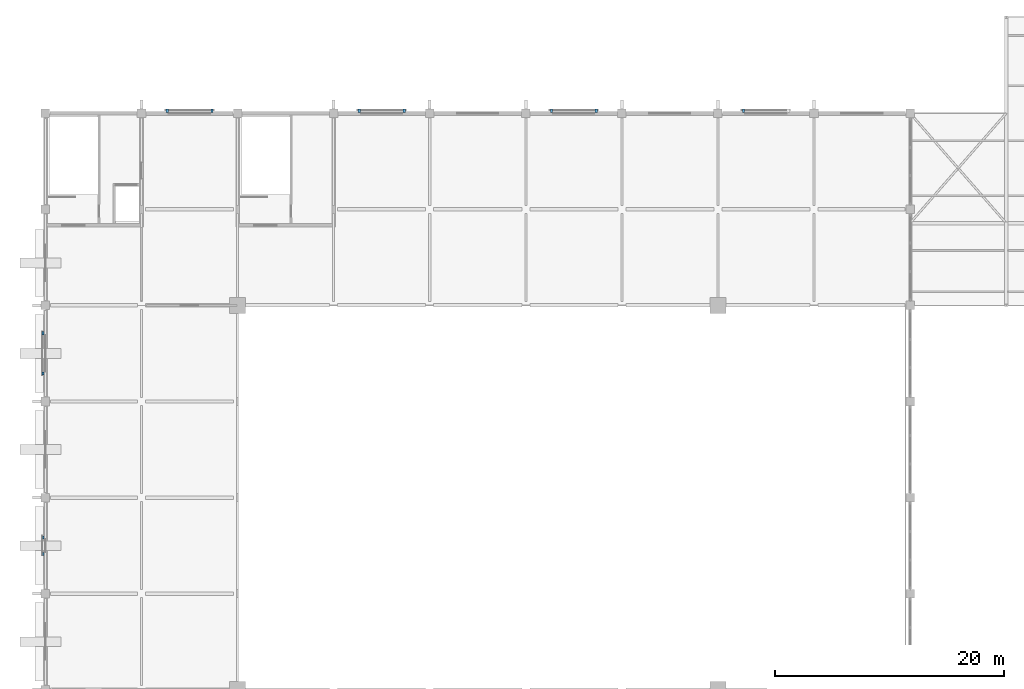
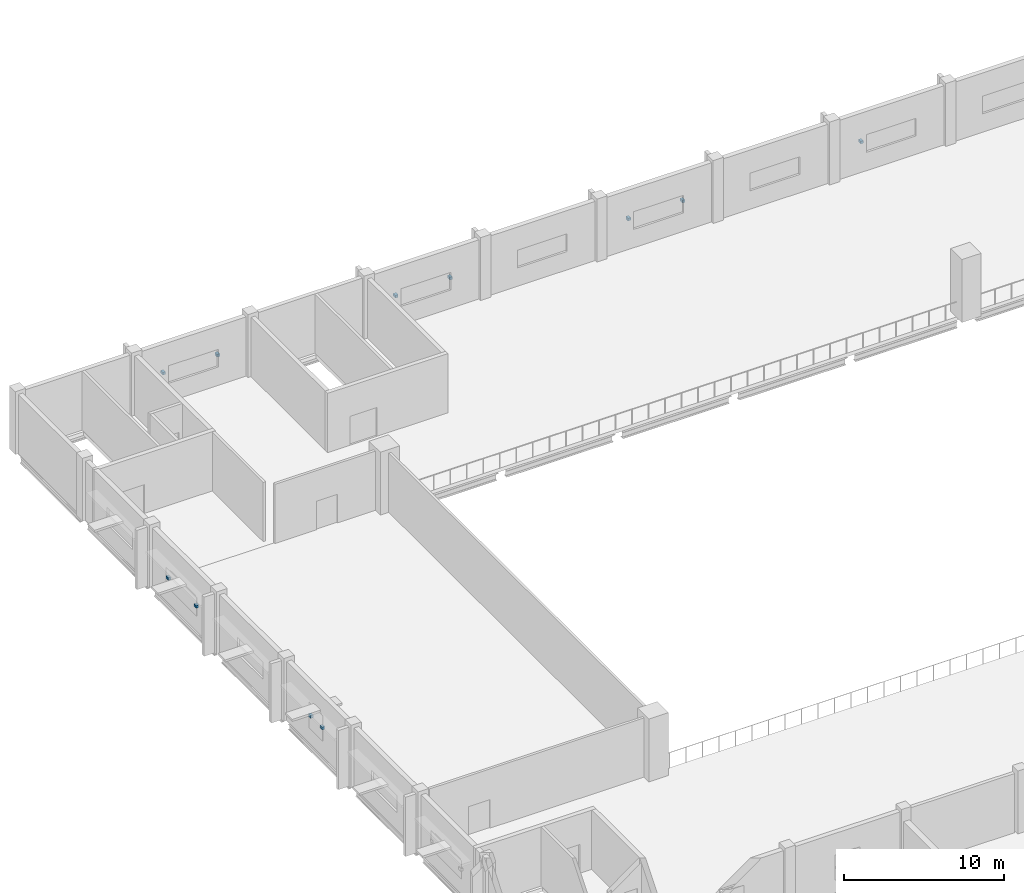
# One storey, part 96 of 110: 11 discrete accessories.
"""IFC4 building model written with IfcOpenShell, lengths in metres."""

import ifcopenshell
import ifcopenshell.guid

model = None  # the IFC model being written
_history = None  # IfcOwnerHistory: only IFC2X3 demands one
_inside = {}  # id of a spatial element -> (the spatial element, [elements in it])
_under = {}  # id of a project, library or spatial element -> (it, [spatial elements below it])
_declared = {}  # id of a project -> (the project, [libraries it declares])
_typed = {}  # id of a type object -> (the type object, [elements of that type])
_made_of = {}  # id of a material, layer set ... -> (it, [elements and type objects made of it])


def new_model(schema):
    """Start an empty IFC model of exactly this schema.

    Asked for "IFC4X3", IfcOpenShell would pick the latest addendum, in which some entities
    have other attributes; the version numbers below select the first issue.
    IFC2X3 requires an IfcOwnerHistory on every rooted entity: one is made here for all.
    """
    global model, _history
    if schema == "IFC4X3":
        model = ifcopenshell.file(schema_version=(4, 3, 0, 0))
    else:
        model = ifcopenshell.file(schema=schema)
    _inside.clear()
    _under.clear()
    _declared.clear()
    _typed.clear()
    _made_of.clear()
    _history = None
    if model.schema == "IFC2X3":
        org = make("IfcOrganization", Name="unknown")
        user = make(
            "IfcPersonAndOrganization",
            ThePerson=make("IfcPerson", FamilyName="unknown"),
            TheOrganization=org,
        )
        app = make(
            "IfcApplication",
            ApplicationDeveloper=org,
            Version="unknown",
            ApplicationFullName="unknown",
            ApplicationIdentifier="unknown",
        )
        _history = make(
            "IfcOwnerHistory",
            OwningUser=user,
            OwningApplication=app,
            ChangeAction="ADDED",
            CreationDate=0,
        )
    return model


def make(cls, **values):
    """One entity of the class cls with the attributes given. An attribute that is None is left unset."""
    return model.create_entity(
        cls, **{name: value for name, value in values.items() if value is not None}
    )


def rooted(cls, **values):
    """An entity with a GlobalId (a new one), such as an element, a storey or a relation."""
    return make(cls, GlobalId=ifcopenshell.guid.new(), OwnerHistory=_history, **values)


def si_unit(unit_type, name, prefix=None):
    """IfcSIUnit, for example si_unit("LENGTHUNIT", "METRE", prefix="MILLI")."""
    return make("IfcSIUnit", UnitType=unit_type, Prefix=prefix, Name=name)


def assignment(units):
    """IfcUnitAssignment: the units of a project."""
    return None if units is None else make("IfcUnitAssignment", Units=units)


def point(xyz):
    """IfcCartesianPoint."""
    return None if xyz is None else make("IfcCartesianPoint", Coordinates=xyz)


def direction(xyz):
    """IfcDirection."""
    return None if xyz is None else make("IfcDirection", DirectionRatios=xyz)


def frame(location, z_axis=None, x_axis=None):
    """IfcAxis2Placement3D, a coordinate frame: its origin and axes. An axis left out is left unset."""
    return make(
        "IfcAxis2Placement3D",
        Location=point(location),
        Axis=direction(z_axis),
        RefDirection=direction(x_axis),
    )


def frame_2d(location, x_axis=None):
    """IfcAxis2Placement2D, a coordinate frame in the plane: its origin and x axis."""
    return make(
        "IfcAxis2Placement2D", Location=point(location), RefDirection=direction(x_axis)
    )


def origin():
    """The frame at (0, 0, 0) with its axes left unset."""
    return frame((0.0, 0.0, 0.0))


def origin_2d():
    """The frame at (0, 0) in the plane with its x axis left unset."""
    return frame_2d((0.0, 0.0))


def place(relative_to, where):
    """IfcLocalPlacement: puts the frame where relative to a parent placement (None: the world)."""
    return make(
        "IfcLocalPlacement", PlacementRelTo=relative_to, RelativePlacement=where
    )


def context(
    kind, dimensions, precision=None, world=None, true_north=None, identifier=None
):
    """IfcGeometricRepresentationContext, for example the 3D "Model" context."""
    return make(
        "IfcGeometricRepresentationContext",
        ContextIdentifier=identifier,
        ContextType=kind,
        CoordinateSpaceDimension=dimensions,
        Precision=precision,
        WorldCoordinateSystem=world,
        TrueNorth=true_north,
    )


def subcontext(parent, identifier, kind, view, scale=None):
    """IfcGeometricRepresentationSubContext, for example "Body" below "Model"."""
    return make(
        "IfcGeometricRepresentationSubContext",
        ContextIdentifier=identifier,
        ContextType=kind,
        ParentContext=parent,
        TargetScale=scale,
        TargetView=view,
    )


def project(units=None, contexts=None):
    """IfcProject with its units and contexts."""
    return rooted(
        "IfcProject",
        Name="project",
        RepresentationContexts=contexts,
        UnitsInContext=assignment(units),
    )


def spatial(cls, under=None, at=None, **own):
    """A site, building, storey or space (cls), placed at a placement, below another one or the project."""
    s = rooted(cls, ObjectPlacement=at, **own)
    if under is not None:
        _under.setdefault(under.id(), (under, []))[1].append(s)
    return s


def profile(cls, at=None, kind="AREA", **sizes):
    """A parametric profile (cls). Its sizes go by their IFC names, for example OverallWidth=200.0."""
    return make(cls, ProfileType=kind, Position=at, **sizes)


def rectangle(**sizes):
    """IfcRectangleProfileDef."""
    return profile("IfcRectangleProfileDef", **sizes)


def extrude(swept, where, along, depth):
    """IfcExtrudedAreaSolid: the profile swept, set in the frame where, extruded along a direction by depth."""
    return make(
        "IfcExtrudedAreaSolid",
        SweptArea=swept,
        Position=where,
        ExtrudedDirection=direction(along),
        Depth=depth,
    )


def shape(context_of_items, identifier, shape_type, items):
    """IfcShapeRepresentation: the items that make up one representation, for example the "Body"."""
    return make(
        "IfcShapeRepresentation",
        ContextOfItems=context_of_items,
        RepresentationIdentifier=identifier,
        RepresentationType=shape_type,
        Items=items,
    )


def material(Name=None, Category=None):
    """IfcMaterial."""
    return make("IfcMaterial", Name=Name, Category=Category)


def made_of(thing, what):
    """Note that an element or type object is made of a material, layer set ...; save() writes the relation."""
    if what is not None:
        _made_of.setdefault(what.id(), (what, []))[1].append(thing)
    return thing


def type_object(cls, material=None, **own):
    """A type object (cls), such as IfcWallType, which elements share."""
    return made_of(rooted(cls, **own), material)


def element(
    cls,
    number,
    at=None,
    inside=None,
    cuts=None,
    type_object=None,
    material=None,
    context=None,
    identifier="Body",
    shape_type=None,
    held_by="IfcProductDefinitionShape",
    body=None,
    shapes=None,
    **own,
):
    """One element of the class cls, such as IfcWall. Its Tag is "e" and its number.

    at: its placement. inside: the storey or other place that contains it. cuts: it is an
    opening in that element (IfcRelVoidsElement). A single representation is given by context,
    identifier, shape_type and body (its items); several are given by shapes. held_by: the class
    of the entity that holds the representations. save() writes the other relations.
    """
    e = rooted(cls, Tag="e%d" % number, ObjectPlacement=at, **own)
    if body is not None:
        shapes = [shape(context, identifier, shape_type, body)]
    if shapes is not None:
        e.Representation = make(held_by, Representations=shapes)
    if inside is not None:
        _inside.setdefault(inside.id(), (inside, []))[1].append(e)
    if cuts is not None:
        rooted(
            "IfcRelVoidsElement", RelatingBuildingElement=cuts, RelatedOpeningElement=e
        )
    if type_object is not None:
        _typed.setdefault(type_object.id(), (type_object, []))[1].append(e)
    return made_of(e, material)


def aggregate(whole, parts):
    """IfcRelAggregates: a whole, such as a stair, and the parts it consists of."""
    return rooted("IfcRelAggregates", RelatingObject=whole, RelatedObjects=parts)


def save(model, path):
    """Write the relations noted so far, then the file.

    IfcRelAggregates (storeys below a building ...), IfcRelContainedInSpatialStructure (elements
    in a storey), IfcRelDefinesByType, IfcRelAssociatesMaterial and IfcRelDeclares: one each for
    every whole, place, type object, material and project.
    """
    for whole, parts in _under.values():
        aggregate(whole, parts)
    for where, things in _inside.values():
        rooted(
            "IfcRelContainedInSpatialStructure",
            RelatedElements=things,
            RelatingStructure=where,
        )
    for kind, things in _typed.values():
        rooted("IfcRelDefinesByType", RelatedObjects=things, RelatingType=kind)
    for what, things in _made_of.values():
        rooted("IfcRelAssociatesMaterial", RelatedObjects=things, RelatingMaterial=what)
    for by, libraries in _declared.values():
        rooted("IfcRelDeclares", RelatingContext=by, RelatedDefinitions=libraries)
    model.write(path)


model = new_model("IFC4")

# Units and contexts
model_context = context("Model", 3, precision=1e-05, world=origin(), true_north=direction((0.0, 1.0)))
body_context = subcontext(model_context, "Body", "Model", "MODEL_VIEW")
ifc_project = project(units=[si_unit("LENGTHUNIT", "METRE"), si_unit("AREAUNIT", "SQUARE_METRE"), si_unit("VOLUMEUNIT", "CUBIC_METRE"), si_unit("PLANEANGLEUNIT", "RADIAN"), si_unit("MASSUNIT", "GRAM", prefix="KILO")], contexts=[model_context])

# Site, building, storey
site_placement = place(None, origin())
site = spatial("IfcSite", under=ifc_project, at=site_placement, CompositionType="ELEMENT")
building_placement = place(site_placement, origin())
building = spatial("IfcBuilding", under=site, at=building_placement, Name="Qawsi Khor Wholesale Market", CompositionType="ELEMENT")
storey_placement = place(building_placement, frame((0.0, 0.0, 11.39990234375)))
storey = spatial("IfcBuildingStorey", under=building, at=storey_placement, Name="L02", CompositionType="ELEMENT", Elevation=11.39990234375)

# Discrete accessories
ifc_material = material(Name="Steel S355", Category="steel")
discrete_accessory_type = type_object("IfcDiscreteAccessoryType", Name="Screen Fixing Bracket Steel S355", PredefinedType="BRACKET", material=ifc_material)
for number, where, z_axis, x_axis, name in (
    (1, (-0.215087890625, 70.679931640625, 2.17529296875), (0.0, 0.0, 1.0), (1.0, 0.0, 0.0), "Screen bracket 081-1"),
    (2, (-0.215087890625, 72.1201171875, 2.17529296875), (0.0, 0.0, 1.0), (1.0, 0.0, 0.0), "Screen bracket 081-2"),
    (3, (-0.215087890625, 86.43994140625, 1.89990234375), (0.0, 0.0, 1.0), (1.0, 0.0, 0.0), "Screen bracket 082-1"),
    (4, (-0.215087890625, 89.9599609375, 1.89990234375), (0.0, 0.0, 1.0), (1.0, 0.0, 0.0), "Screen bracket 082-2"),
    (5, (10.639892578125, 109.4150390625, 1.97509765625), (0.0, 0.0, 1.0), (1.0, 0.0, 0.0), "Screen bracket 085-1"),
    (6, (14.56005859375, 109.4150390625, 1.97509765625), (0.0, 0.0, 1.0), (1.0, 0.0, 0.0), "Screen bracket 085-2"),
    (7, (27.43994140625, 109.4150390625, 1.97509765625), (0.0, 0.0, 1.0), (1.0, 0.0, 0.0), "Screen bracket 086-1"),
    (8, (31.360107421875, 109.4150390625, 1.97509765625), (0.0, 0.0, 1.0), (1.0, 0.0, 0.0), "Screen bracket 086-2"),
    (9, (44.239990234375, 109.4150390625, 1.97509765625), (0.0, 0.0, 1.0), (1.0, 0.0, 0.0), "Screen bracket 087-1"),
    (10, (48.159912109375, 109.4150390625, 1.97509765625), (0.0, 0.0, 1.0), (1.0, 0.0, 0.0), "Screen bracket 087-2"),
    (11, (61.0400390625, 109.4150390625, 1.97509765625), (0.0, 0.0, 1.0), (1.0, 0.0, 0.0), "Screen bracket 088-1"),
):
    element("IfcDiscreteAccessory", number, at=place(storey_placement, frame(where, z_axis=z_axis, x_axis=x_axis)), inside=storey, type_object=discrete_accessory_type, Name=name, PredefinedType="BRACKET", context=body_context, shape_type="SweptSolid", body=[
        extrude(rectangle(XDim=0.199951171875, YDim=0.280029296875, at=origin_2d()), origin(), (0.0, 0.0, 1.0), 0.199951171875),
    ])

save(model, "model.ifc")
